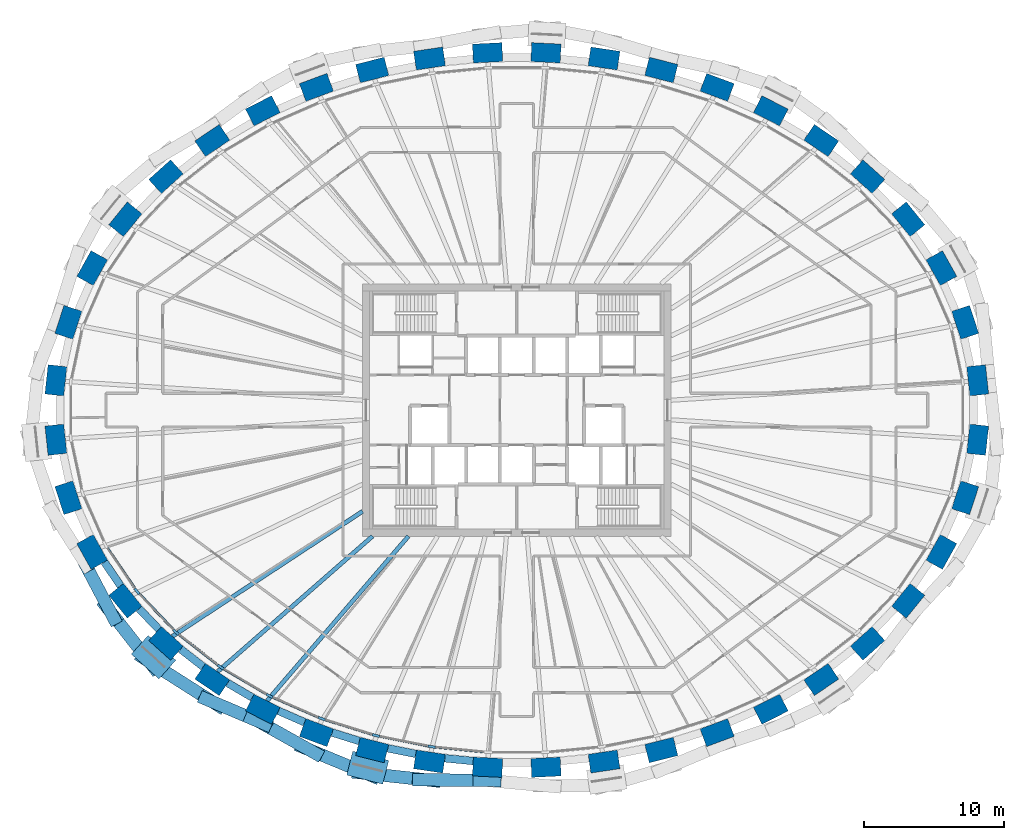
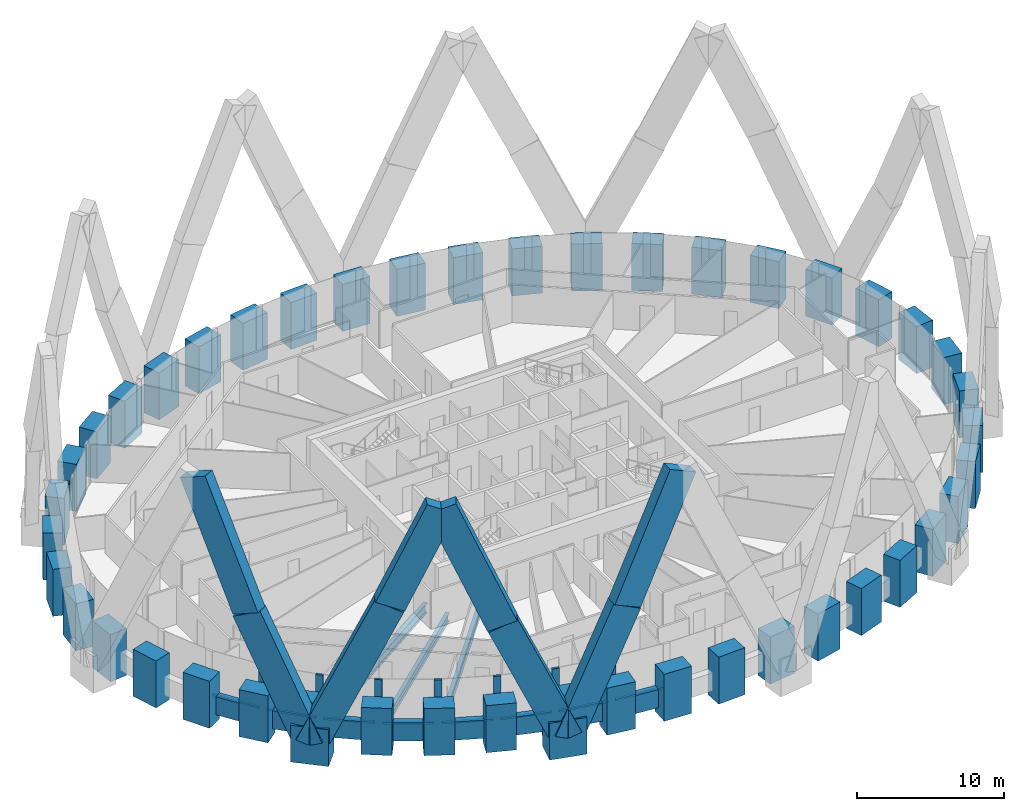
# One storey, part 1 of 14: 44 columns, 25 members, 11 beams, 1 element without a shape of its own.
"""IFC4 building model written with IfcOpenShell, lengths in metres."""

from ifc_helpers import new_model, si_unit, direction, frame, origin, origin_2d, place, context, subcontext, project, spatial, rectangle, i_section, extrude, source, transform, mapped, material, material_profile, profile_set, type_object, element, aggregate, save


model = new_model("IFC4")

# Units and contexts
model_context = context("Model", 3, precision=1e-05, world=origin(), true_north=direction((0.0, 1.0)))
body_context = subcontext(model_context, "Body", "Model", "MODEL_VIEW")
ifc_project = project(units=[si_unit("LENGTHUNIT", "METRE"), si_unit("AREAUNIT", "SQUARE_METRE"), si_unit("VOLUMEUNIT", "CUBIC_METRE"), si_unit("PLANEANGLEUNIT", "RADIAN"), si_unit("MASSUNIT", "GRAM", prefix="KILO")], contexts=[model_context])

# Site, building, storey
site_placement = place(None, origin())
site = spatial("IfcSite", under=ifc_project, at=site_placement, CompositionType="ELEMENT")
building_placement = place(site_placement, origin())
building = spatial("IfcBuilding", under=site, at=building_placement, Name="Embergate Tower", CompositionType="ELEMENT")
storey_placement = place(building_placement, frame((0.0, 0.0, 257.800048828125)))
storey = spatial("IfcBuildingStorey", under=building, at=storey_placement, Name="L59", CompositionType="ELEMENT", Elevation=257.800048828125)

# Columns
ifc_material_1 = material(Name="Concrete C60", Category="concrete")
ifc_material_profile_1 = material_profile(ifc_material_1, rectangle(XDim=1.35009765625, YDim=2.10009765625, at=origin_2d()), Name="RC 1350x2100")
ifc_profile_set_1 = profile_set([ifc_material_profile_1], Name="Concrete C60")
column_type = type_object("IfcColumnType", Name="Ring column RC 1350x2100 C60", PredefinedType="COLUMN", material=ifc_profile_set_1)
shared_shape_1 = source(origin(), body_context, "Body", "SweptSolid", [
    extrude(rectangle(XDim=1.35009765625, YDim=2.10009765625, at=origin_2d()), origin(), (0.0, 0.0, 1.0), 3.900146484375),
])
for number, where, z_axis, x_axis, name in (
    (1, (32.862060546875, 2.116943359375, -1.400146484375), (0.0, 0.0, 1.0), (0.99428589498, 0.106749983816, 0.0), "COL-L59-00"),
    (2, (31.971923828125, 6.2529296875, -1.400146484375), (0.0, 0.0, 1.0), (0.950754033697, 0.309946394413, 0.0), "COL-L59-01"),
    (3, (30.27587890625, 10.118896484375, -1.400146484375), (0.0, 0.0, 1.0), (0.873491969053, 0.486838556403, 0.0), "COL-L59-02"),
    (4, (27.908935546875, 13.60009765625, -1.400146484375), (0.0, 0.0, 1.0), (0.775914301615, 0.630838328377, 0.0), "COL-L59-03"),
    (5, (25.011962890625, 16.637939453125, -1.400146484375), (0.0, 0.0, 1.0), (0.669208424634, 0.74307475021, 0.0), "COL-L59-04"),
    (6, (21.7109375, 19.215087890625, -1.400146484375), (0.0, 0.0, 1.0), (0.560393279442, 0.828226643109, 0.0), "COL-L59-05"),
    (7, (18.10888671875, 21.3330078125, -1.400146484375), (0.0, 0.0, 1.0), (0.452994952881, 0.891513080478, 0.0), "COL-L59-06"),
    (8, (14.285888671875, 23.0048828125, -1.400146484375), (0.0, 0.0, 1.0), (0.348343015724, 0.93736713373, 0.0), "COL-L59-07"),
    (9, (10.306884765625, 24.243896484375, -1.400146484375), (0.0, 0.0, 1.0), (0.246491603437, 0.969144926951, 0.0), "COL-L59-08"),
    (10, (6.222900390625, 25.06298828125, -1.400146484375), (0.0, 0.0, 1.0), (0.146929011949, 0.989147039346, 0.0), "COL-L59-09"),
    (11, (2.0810546875, 25.469970703125, -1.400146484375), (0.0, 0.0, 1.0), (0.048814904854, 0.998807841912, 0.0), "COL-L59-10"),
    (12, (-2.0810546875, 25.469970703125, -1.400146484375), (0.0, 0.0, 1.0), (-0.048814904854, 0.998807841912, 0.0), "COL-L59-11"),
    (13, (-6.222900390625, 25.06298828125, -1.400146484375), (0.0, 0.0, 1.0), (-0.146929011949, 0.989147039346, 0.0), "COL-L59-12"),
    (14, (-10.306884765625, 24.243896484375, -1.400146484375), (0.0, 0.0, 1.0), (-0.246491603437, 0.969144926951, 0.0), "COL-L59-13"),
    (15, (-14.285888671875, 23.0048828125, -1.400146484375), (0.0, 0.0, 1.0), (-0.348343015724, 0.93736713373, 0.0), "COL-L59-14"),
    (16, (-18.10888671875, 21.3330078125, -1.400146484375), (0.0, 0.0, 1.0), (-0.452994952881, 0.891513080478, 0.0), "COL-L59-15"),
    (17, (-21.7109375, 19.215087890625, -1.400146484375), (0.0, 0.0, 1.0), (-0.560393279442, 0.828226643109, 0.0), "COL-L59-16"),
    (18, (-25.011962890625, 16.637939453125, -1.400146484375), (0.0, 0.0, 1.0), (-0.669208424634, 0.74307475021, 0.0), "COL-L59-17"),
    (19, (-27.908935546875, 13.60009765625, -1.400146484375), (0.0, 0.0, 1.0), (-0.775914301615, 0.630838328377, 0.0), "COL-L59-18"),
    (20, (-30.27587890625, 10.118896484375, -1.400146484375), (0.0, 0.0, 1.0), (-0.873491969053, 0.486838556403, 0.0), "COL-L59-19"),
    (21, (-31.971923828125, 6.2529296875, -1.400146484375), (0.0, 0.0, 1.0), (-0.950754033697, 0.309946394413, 0.0), "COL-L59-20"),
    (22, (-32.862060546875, 2.116943359375, -1.400146484375), (0.0, 0.0, 1.0), (-0.99428589498, 0.106749983816, 0.0), "COL-L59-21"),
    (23, (-32.862060546875, -2.116943359375, -1.400146484375), (0.0, 0.0, 1.0), (-0.99428589498, -0.106749983816, 0.0), "COL-L59-22"),
    (24, (-31.971923828125, -6.2529296875, -1.400146484375), (0.0, 0.0, 1.0), (-0.950754033697, -0.309946394413, 0.0), "COL-L59-23"),
    (25, (-30.27587890625, -10.118896484375, -1.400146484375), (0.0, 0.0, 1.0), (-0.873491969053, -0.486838556403, 0.0), "COL-L59-24"),
    (26, (-27.908935546875, -13.60009765625, -1.400146484375), (0.0, 0.0, 1.0), (-0.775914301615, -0.630838328377, 0.0), "COL-L59-25"),
    (27, (-25.011962890625, -16.637939453125, -1.400146484375), (0.0, 0.0, 1.0), (-0.669208424634, -0.74307475021, 0.0), "COL-L59-26"),
    (28, (-21.7109375, -19.215087890625, -1.400146484375), (0.0, 0.0, 1.0), (-0.560393279442, -0.828226643109, 0.0), "COL-L59-27"),
    (29, (-18.10888671875, -21.3330078125, -1.400146484375), (0.0, 0.0, 1.0), (-0.452994952881, -0.891513080478, 0.0), "COL-L59-28"),
    (30, (-14.285888671875, -23.0048828125, -1.400146484375), (0.0, 0.0, 1.0), (-0.348343015724, -0.93736713373, 0.0), "COL-L59-29"),
    (31, (-10.306884765625, -24.243896484375, -1.400146484375), (0.0, 0.0, 1.0), (-0.246491603437, -0.969144926951, 0.0), "COL-L59-30"),
    (32, (-6.222900390625, -25.06298828125, -1.400146484375), (0.0, 0.0, 1.0), (-0.146929011949, -0.989147039346, 0.0), "COL-L59-31"),
    (33, (-2.0810546875, -25.469970703125, -1.400146484375), (0.0, 0.0, 1.0), (-0.048814904854, -0.998807841912, 0.0), "COL-L59-32"),
    (34, (2.0810546875, -25.469970703125, -1.400146484375), (0.0, 0.0, 1.0), (0.048814904854, -0.998807841912, 0.0), "COL-L59-33"),
    (35, (6.222900390625, -25.06298828125, -1.400146484375), (0.0, 0.0, 1.0), (0.146929011949, -0.989147039346, 0.0), "COL-L59-34"),
    (36, (10.306884765625, -24.243896484375, -1.400146484375), (0.0, 0.0, 1.0), (0.246491603437, -0.969144926951, 0.0), "COL-L59-35"),
    (37, (14.285888671875, -23.0048828125, -1.400146484375), (0.0, 0.0, 1.0), (0.348343015724, -0.93736713373, 0.0), "COL-L59-36"),
    (38, (18.10888671875, -21.3330078125, -1.400146484375), (0.0, 0.0, 1.0), (0.452994952881, -0.891513080478, 0.0), "COL-L59-37"),
    (39, (21.7109375, -19.215087890625, -1.400146484375), (0.0, 0.0, 1.0), (0.560393279442, -0.828226643109, 0.0), "COL-L59-38"),
    (40, (25.011962890625, -16.637939453125, -1.400146484375), (0.0, 0.0, 1.0), (0.669208424634, -0.74307475021, 0.0), "COL-L59-39"),
    (41, (27.908935546875, -13.60009765625, -1.400146484375), (0.0, 0.0, 1.0), (0.775914301615, -0.630838328377, 0.0), "COL-L59-40"),
    (42, (30.27587890625, -10.118896484375, -1.400146484375), (0.0, 0.0, 1.0), (0.873491969053, -0.486838556403, 0.0), "COL-L59-41"),
    (43, (31.971923828125, -6.2529296875, -1.400146484375), (0.0, 0.0, 1.0), (0.950754033697, -0.309946394413, 0.0), "COL-L59-42"),
    (44, (32.862060546875, -2.116943359375, -1.400146484375), (0.0, 0.0, 1.0), (0.99428589498, -0.106749983816, 0.0), "COL-L59-43"),
):
    element("IfcColumn", number, at=place(storey_placement, frame(where, z_axis=z_axis, x_axis=x_axis)), inside=storey, type_object=column_type, Name=name, PredefinedType="COLUMN", context=body_context, shape_type="MappedRepresentation", body=[
        mapped(shared_shape_1, transform((0.0, 0.0, 0.0))),
    ])

# Beams
ifc_material_profile_2 = material_profile(ifc_material_1, rectangle(XDim=0.550048828125, YDim=1.5, at=origin_2d()), Name="RC 550x1500")
ifc_profile_set_2 = profile_set([ifc_material_profile_2], Name="Concrete C60")
beam_type_1 = type_object("IfcBeamType", Name="Spandrel beam RC 550x1500 C60", PredefinedType="BEAM", material=ifc_profile_set_2)
shared_shape_2 = source(origin(), body_context, "Body", "SweptSolid", [
    extrude(rectangle(XDim=0.550048828125, YDim=1.5, at=origin_2d()), origin(), (0.0, 0.0, 1.0), 2.046630859375),
])
beam_1_placement = place(storey_placement, frame((-29.405029296875, -10.8359375, 0.0), z_axis=(0.562466632366, -0.826819984927, 0.0), x_axis=(0.826819984927, 0.562466632366, 0.0)))
element("IfcBeam", 45, at=beam_1_placement, inside=storey, type_object=beam_type_1, Name="SPN-L59-24", PredefinedType="BEAM", context=body_context, shape_type="MappedRepresentation", body=[
    mapped(shared_shape_2, transform((0.0, 0.0, 0.0))),
])
shared_shape_3 = source(origin(), body_context, "Body", "SweptSolid", [
    extrude(rectangle(XDim=0.550048828125, YDim=1.5, at=origin_2d()), origin(), (0.0, 0.0, 1.0), 2.042724609375),
])
beam_2_placement = place(storey_placement, frame((-26.93505859375, -14.160888671875, 0.0), z_axis=(0.690299494905, -0.723523743448, 0.0), x_axis=(0.723523743448, 0.690299494905, 0.0)))
element("IfcBeam", 46, at=beam_2_placement, inside=storey, type_object=beam_type_1, Name="SPN-L59-25", PredefinedType="BEAM", context=body_context, shape_type="MappedRepresentation", body=[
    mapped(shared_shape_3, transform((0.0, 0.0, 0.0))),
])
shared_shape_4 = source(origin(), body_context, "Body", "SweptSolid", [
    extrude(rectangle(XDim=0.550048828125, YDim=1.5, at=origin_2d()), origin(), (0.0, 0.0, 1.0), 2.038330078125),
])
beam_3_placement = place(storey_placement, frame((-23.968994140625, -17.049072265625, 0.0), z_axis=(0.78838379352, -0.615183707615, 0.0), x_axis=(0.615183707615, 0.78838379352, 0.0)))
element("IfcBeam", 47, at=beam_3_placement, inside=storey, type_object=beam_type_1, Name="SPN-L59-26", PredefinedType="BEAM", context=body_context, shape_type="MappedRepresentation", body=[
    mapped(shared_shape_4, transform((0.0, 0.0, 0.0))),
])
shared_shape_5 = source(origin(), body_context, "Body", "SweptSolid", [
    extrude(rectangle(XDim=0.550048828125, YDim=1.5, at=origin_2d()), origin(), (0.0, 0.0, 1.0), 2.0322265625),
])
beam_4_placement = place(storey_placement, frame((-20.614013671875, -19.467041015625, 0.0), z_axis=(0.862048455152, -0.50682586849, 0.0), x_axis=(0.50682586849, 0.862048455152, 0.0)))
element("IfcBeam", 48, at=beam_4_placement, inside=storey, type_object=beam_type_1, Name="SPN-L59-27", PredefinedType="BEAM", context=body_context, shape_type="MappedRepresentation", body=[
    mapped(shared_shape_5, transform((0.0, 0.0, 0.0))),
])
shared_shape_6 = source(origin(), body_context, "Body", "SweptSolid", [
    extrude(rectangle(XDim=0.550048828125, YDim=1.5, at=origin_2d()), origin(), (0.0, 0.0, 1.0), 2.03076171875),
])
beam_5_placement = place(storey_placement, frame((-16.991943359375, -21.451904296875, 0.0), z_axis=(0.916361402872, -0.400352069216, 0.0), x_axis=(0.400352069216, 0.916361402872, 0.0)))
element("IfcBeam", 49, at=beam_5_placement, inside=storey, type_object=beam_type_1, Name="SPN-L59-28", PredefinedType="BEAM", context=body_context, shape_type="MappedRepresentation", body=[
    mapped(shared_shape_6, transform((0.0, 0.0, 0.0))),
])
shared_shape_7 = source(origin(), body_context, "Body", "SweptSolid", [
    extrude(rectangle(XDim=0.550048828125, YDim=1.5, at=origin_2d()), origin(), (0.0, 0.0, 1.0), 2.02880859375),
])
beam_6_placement = place(storey_placement, frame((-13.1640625, -22.9990234375, 0.0), z_axis=(0.954800624546, -0.297246980417, 0.0), x_axis=(0.297246980417, 0.954800624546, 0.0)))
element("IfcBeam", 50, at=beam_6_placement, inside=storey, type_object=beam_type_1, Name="SPN-L59-29", PredefinedType="BEAM", context=body_context, shape_type="MappedRepresentation", body=[
    mapped(shared_shape_7, transform((0.0, 0.0, 0.0))),
])
shared_shape_8 = source(origin(), body_context, "Body", "SweptSolid", [
    extrude(rectangle(XDim=0.550048828125, YDim=1.5, at=origin_2d()), origin(), (0.0, 0.0, 1.0), 2.02734375),
])
beam_7_placement = place(storey_placement, frame((-9.19189453125, -24.1220703125, 0.0), z_axis=(0.980543602706, -0.196301409041, 0.0), x_axis=(0.196301409041, 0.980543602706, 0.0)))
element("IfcBeam", 51, at=beam_7_placement, inside=storey, type_object=beam_type_1, Name="SPN-L59-30", PredefinedType="BEAM", context=body_context, shape_type="MappedRepresentation", body=[
    mapped(shared_shape_8, transform((0.0, 0.0, 0.0))),
])
shared_shape_9 = source(origin(), body_context, "Body", "SweptSolid", [
    extrude(rectangle(XDim=0.550048828125, YDim=1.5, at=origin_2d()), origin(), (0.0, 0.0, 1.0), 2.025634765625),
])
beam_8_placement = place(storey_placement, frame((-5.126953125, -24.830078125, 0.0), z_axis=(0.995211067802, -0.097749324935, 0.0), x_axis=(0.097749324935, 0.995211067802, 0.0)))
element("IfcBeam", 52, at=beam_8_placement, inside=storey, type_object=beam_type_1, Name="SPN-L59-31", PredefinedType="BEAM", context=body_context, shape_type="MappedRepresentation", body=[
    mapped(shared_shape_9, transform((0.0, 0.0, 0.0))),
])
ifc_material_2 = material(Name="Steel Q355B", Category="steel")
ifc_material_profile_3 = material_profile(ifc_material_2, i_section(OverallWidth=0.300048828125, OverallDepth=0.800048828125, WebThickness=0.013916015625, FlangeThickness=0.02587890625, FilletRadius=0.028076171875, at=origin_2d()), Name="HN 800x300x14x26")
ifc_profile_set_3 = profile_set([ifc_material_profile_3], Name="Steel Q355 grade B")
beam_type_2 = type_object("IfcBeamType", Name="Radial girder HN 800x300x14x26", PredefinedType="BEAM", material=ifc_profile_set_3)
shared_shape_10 = source(origin(), body_context, "Body", "SweptSolid", [
    extrude(i_section(OverallWidth=0.300048828125, OverallDepth=0.800048828125, WebThickness=0.013916015625, FlangeThickness=0.02587890625, FilletRadius=0.028076171875, at=origin_2d()), origin(), (0.0, 0.0, 1.0), 16.224853515625),
])
beam_9_placement = place(storey_placement, frame((-24.56005859375, -16.135986328125, -0.60009765625), z_axis=(0.83576092079, 0.549093510506, 0.0), x_axis=(-0.549093510506, 0.83576092079, 0.0)))
element("IfcBeam", 53, at=beam_9_placement, inside=storey, type_object=beam_type_2, Name="GIR-L59-26", PredefinedType="BEAM", context=body_context, shape_type="MappedRepresentation", body=[
    mapped(shared_shape_10, transform((0.0, 0.0, 0.0))),
])
ifc_material_profile_4 = material_profile(ifc_material_2, i_section(OverallWidth=0.300048828125, OverallDepth=0.699951171875, WebThickness=0.012939453125, FlangeThickness=0.02392578125, FilletRadius=0.01806640625, at=origin_2d()), Name="HN 700x300x13x24")
ifc_profile_set_4 = profile_set([ifc_material_profile_4], Name="Steel Q355 grade B")
beam_type_3 = type_object("IfcBeamType", Name="Radial girder HN 700x300x13x24", PredefinedType="BEAM", material=ifc_profile_set_4)
shared_shape_11 = source(origin(), body_context, "Body", "SweptSolid", [
    extrude(i_section(OverallWidth=0.300048828125, OverallDepth=0.699951171875, WebThickness=0.012939453125, FlangeThickness=0.02392578125, FilletRadius=0.01806640625, at=origin_2d()), origin(), (0.0, 0.0, 1.0), 14.66845703125),
])
beam_10_placement = place(storey_placement, frame((-21.3330078125, -18.656005859375, -0.550048828125), z_axis=(0.752770497305, 0.658283053395, 0.0), x_axis=(-0.658283053395, 0.752770497305, 0.0)))
element("IfcBeam", 54, at=beam_10_placement, inside=storey, type_object=beam_type_3, Name="GIR-L59-27", PredefinedType="BEAM", context=body_context, shape_type="MappedRepresentation", body=[
    mapped(shared_shape_11, transform((0.0, 0.0, 0.0))),
])
shared_shape_12 = source(origin(), body_context, "Body", "SweptSolid", [
    extrude(i_section(OverallWidth=0.300048828125, OverallDepth=0.800048828125, WebThickness=0.013916015625, FlangeThickness=0.02587890625, FilletRadius=0.028076171875, at=origin_2d()), origin(), (0.0, 0.0, 1.0), 15.462890625),
])
beam_11_placement = place(storey_placement, frame((-17.802978515625, -20.73095703125, -0.60009765625), z_axis=(0.651494533004, 0.75865332891, 0.0), x_axis=(-0.75865332891, 0.651494533004, 0.0)))
element("IfcBeam", 55, at=beam_11_placement, inside=storey, type_object=beam_type_2, Name="GIR-L59-28", PredefinedType="BEAM", context=body_context, shape_type="MappedRepresentation", body=[
    mapped(shared_shape_12, transform((0.0, 0.0, 0.0))),
])

# Members
ifc_material_3 = material(Name="Concrete C70", Category="concrete")
ifc_material_profile_5 = material_profile(ifc_material_3, rectangle(XDim=1.800048828125, YDim=2.64990234375, at=origin_2d()), Name="RC 1800x2650")
ifc_profile_set_5 = profile_set([ifc_material_profile_5], Name="Concrete C70")
member_type_1 = type_object("IfcMemberType", Name="Lattice node block RC 1800x2650", PredefinedType="POST", material=ifc_profile_set_5)
shared_shape_13 = source(origin(), body_context, "Body", "SweptSolid", [
    extrude(rectangle(XDim=1.800048828125, YDim=2.64990234375, at=origin_2d()), origin(), (0.0, 0.0, 1.0), 3.050048828125),
])
member_1_placement = place(storey_placement, frame((-25.89892578125, -17.623046875, -1.525146484375), z_axis=(0.0, 0.0, 1.0), x_axis=(-0.669208424634, -0.74307475021, 0.0)))
element("IfcMember", 56, at=member_1_placement, inside=storey, type_object=member_type_1, Name="NOD-L59-26", PredefinedType="POST", context=body_context, shape_type="MappedRepresentation", body=[
    mapped(shared_shape_13, transform((0.0, 0.0, 0.0))),
])
ifc_material_profile_6 = material_profile(ifc_material_3, rectangle(XDim=1.75, YDim=2.64990234375, at=origin_2d()), Name="RC 1750x2650")
ifc_profile_set_6 = profile_set([ifc_material_profile_6], Name="Concrete C70")
member_type_2 = type_object("IfcMemberType", Name="Lattice node block RC 1750x2650", PredefinedType="POST", material=ifc_profile_set_6)
shared_shape_14 = source(origin(), body_context, "Body", "SweptSolid", [
    extrude(rectangle(XDim=1.75, YDim=2.64990234375, at=origin_2d()), origin(), (0.0, 0.0, 1.0), 3.050048828125),
])
member_2_placement = place(storey_placement, frame((-10.626953125, -25.50390625, -1.525146484375), z_axis=(0.0, 0.0, 1.0), x_axis=(-0.246491603437, -0.969144926951, 0.0)))
element("IfcMember", 57, at=member_2_placement, inside=storey, type_object=member_type_2, Name="NOD-L59-30", PredefinedType="POST", context=body_context, shape_type="MappedRepresentation", body=[
    mapped(shared_shape_14, transform((0.0, 0.0, 0.0))),
])
ifc_material_profile_7 = material_profile(ifc_material_3, rectangle(XDim=0.89990234375, YDim=2.199951171875, at=origin_2d()), Name="RC 900x2200")
ifc_profile_set_7 = profile_set([ifc_material_profile_7], Name="Concrete C70")
member_type_3 = type_object("IfcMemberType", Name="Lattice diagonal terracotta-faced RC 900x2200", PredefinedType="BRACE", material=ifc_profile_set_7)
shared_shape_15 = source(origin(), body_context, "Body", "SweptSolid", [
    extrude(rectangle(XDim=0.89990234375, YDim=2.199951171875, at=origin_2d()), origin(), (0.0, 0.0, 1.0), 10.757080078125),
])
member_3_placement = place(storey_placement, frame((-26.193115234375, -17.949951171875, 0.0), z_axis=(-0.260094349239, 0.332902610352, 0.906381145829), x_axis=(-0.788008083897, -0.615664892382, 0.0)))
element("IfcMember", 58, at=member_3_placement, inside=storey, type_object=member_type_3, Name="BRC-L59-26-24-S00", PredefinedType="BRACE", context=body_context, shape_type="MappedRepresentation", body=[
    mapped(shared_shape_15, transform((0.0, 0.0, 0.0))),
])
shared_shape_16 = source(origin(), body_context, "Body", "SweptSolid", [
    extrude(rectangle(XDim=0.89990234375, YDim=2.199951171875, at=origin_2d()), origin(), (0.0, 0.0, 1.0), 10.635009765625),
])
member_4_placement = place(storey_placement, frame((-28.990966796875, -14.368896484375, 9.75), z_axis=(-0.186175259302, 0.353342736273, 0.916781153573), x_axis=(-0.884706171677, -0.466149106828, 0.0)))
element("IfcMember", 59, at=member_4_placement, inside=storey, type_object=member_type_3, Name="BRC-L59-26-24-S01", PredefinedType="BRACE", context=body_context, shape_type="MappedRepresentation", body=[
    mapped(shared_shape_16, transform((0.0, 0.0, 0.0))),
])
shared_shape_17 = source(origin(), body_context, "Body", "SweptSolid", [
    extrude(rectangle(XDim=0.89990234375, YDim=2.199951171875, at=origin_2d()), origin(), (0.0, 0.0, 1.0), 12.8583984375),
])
member_5_placement = place(storey_placement, frame((-26.193115234375, -17.949951171875, 0.0), z_axis=(0.350136237676, -0.222430780563, 0.909906128633), x_axis=(0.536217829245, 0.844079640555, 0.0)))
element("IfcMember", 60, at=member_5_placement, inside=storey, type_object=member_type_3, Name="BRC-L59-26-28-S00", PredefinedType="BRACE", context=body_context, shape_type="MappedRepresentation", body=[
    mapped(shared_shape_17, transform((0.0, 0.0, 0.0))),
])
shared_shape_18 = source(origin(), body_context, "Body", "SweptSolid", [
    extrude(rectangle(XDim=0.89990234375, YDim=2.199951171875, at=origin_2d()), origin(), (0.0, 0.0, 1.0), 8.565673828125),
])
member_6_placement = place(storey_placement, frame((-21.69091796875, -20.81005859375, 11.699951171875), z_axis=(0.380481007684, -0.16121062098, 0.910629089407), x_axis=(0.390128220335, 0.920760539825, 0.0)))
element("IfcMember", 61, at=member_6_placement, inside=storey, type_object=member_type_3, Name="BRC-L59-26-28-S01", PredefinedType="BRACE", context=body_context, shape_type="MappedRepresentation", body=[
    mapped(shared_shape_18, transform((0.0, 0.0, 0.0))),
])
shared_shape_19 = source(origin(), body_context, "Body", "SweptSolid", [
    extrude(rectangle(XDim=0.89990234375, YDim=2.199951171875, at=origin_2d()), origin(), (0.0, 0.0, 1.0), 10.695556640625),
])
member_7_placement = place(storey_placement, frame((-10.73095703125, -25.910888671875, 0.0), z_axis=(-0.379874796254, 0.157158873465, 0.911589944911), x_axis=(-0.382288036979, -0.924043211534, 0.0)))
element("IfcMember", 62, at=member_7_placement, inside=storey, type_object=member_type_3, Name="BRC-L59-30-28-S00", PredefinedType="BRACE", context=body_context, shape_type="MappedRepresentation", body=[
    mapped(shared_shape_19, transform((0.0, 0.0, 0.0))),
])
shared_shape_20 = source(origin(), body_context, "Body", "SweptSolid", [
    extrude(rectangle(XDim=0.89990234375, YDim=2.199951171875, at=origin_2d()), origin(), (0.0, 0.0, 1.0), 10.6044921875),
])
member_8_placement = place(storey_placement, frame((-14.7939453125, -24.22998046875, 9.75), z_axis=(-0.343057023182, 0.192283219758, 0.919423211717), x_axis=(-0.488934899925, -0.872320275836, 0.0)))
element("IfcMember", 63, at=member_8_placement, inside=storey, type_object=member_type_3, Name="BRC-L59-30-28-S01", PredefinedType="BRACE", context=body_context, shape_type="MappedRepresentation", body=[
    mapped(shared_shape_20, transform((0.0, 0.0, 0.0))),
])
shared_shape_21 = source(origin(), body_context, "Body", "SweptSolid", [
    extrude(rectangle(XDim=0.89990234375, YDim=2.199951171875, at=origin_2d()), origin(), (0.0, 0.0, 1.0), 10.662841796875),
])
member_9_placement = place(storey_placement, frame((-10.73095703125, -25.910888671875, 0.0), z_axis=(0.402521448721, -0.04306842122, 0.914396847333), x_axis=(0.1063893332, 0.994324549522, 0.0)))
element("IfcMember", 64, at=member_9_placement, inside=storey, type_object=member_type_3, Name="BRC-L59-30-32-S00", PredefinedType="BRACE", context=body_context, shape_type="MappedRepresentation", body=[
    mapped(shared_shape_21, transform((0.0, 0.0, 0.0))),
])
shared_shape_22 = source(origin(), body_context, "Body", "SweptSolid", [
    extrude(rectangle(XDim=0.89990234375, YDim=2.199951171875, at=origin_2d()), origin(), (0.0, 0.0, 1.0), 10.666259765625),
])
member_10_placement = place(storey_placement, frame((-6.43896484375, -26.3701171875, 9.75), z_axis=(0.405479703808, -0.00345624811, 0.914097513479), x_axis=(0.008523540207, 0.999963673971, 0.0)))
element("IfcMember", 65, at=member_10_placement, inside=storey, type_object=member_type_3, Name="BRC-L59-30-32-S01", PredefinedType="BRACE", context=body_context, shape_type="MappedRepresentation", body=[
    mapped(shared_shape_22, transform((0.0, 0.0, 0.0))),
])

# Curtain wall, members
ifc_material_4 = material(Name="Aluminium and glass", Category="aluminium")
curtain_wall_type = type_object("IfcCurtainWallType", Name="Recessed office glazing", PredefinedType="NOTDEFINED", material=ifc_material_4)
curtain_wall_placement = place(storey_placement, origin())
curtain_wall = element("IfcCurtainWall", 66, at=curtain_wall_placement, inside=storey, type_object=curtain_wall_type, Name="Recessed office glazing ring", ObjectType="RECESSED OFFICE GLAZING", PredefinedType="USERDEFINED")
ifc_material_5 = material(Name="Aluminium, thermally broken", Category="aluminium")
ifc_material_profile_8 = material_profile(ifc_material_5, rectangle(XDim=0.179931640625, YDim=0.52001953125, at=origin_2d()), Name="AL 520x180")
ifc_profile_set_8 = profile_set([ifc_material_profile_8], Name="Aluminium, thermally broken")
member_type_4 = type_object("IfcMemberType", Name="Office mullion", PredefinedType="MULLION", material=ifc_profile_set_8)
shared_shape_23 = source(origin(), body_context, "Body", "SweptSolid", [
    extrude(rectangle(XDim=0.179931640625, YDim=0.52001953125, at=origin_2d()), origin(), (0.0, 0.0, 1.0), 3.699951171875),
])
member_11_placement = place(storey_placement, frame((-27.0830078125, -12.92822265625, 0.0), z_axis=(0.0, 0.0, 1.0), x_axis=(0.777863789852, 0.628432911643, 0.0)))
member_11 = element("IfcMember", 67, at=member_11_placement, type_object=member_type_4, Name="CW mullion 26", PredefinedType="MULLION", context=body_context, shape_type="MappedRepresentation", body=[
    mapped(shared_shape_23, transform((0.0, 0.0, 0.0))),
])
member_12_placement = place(storey_placement, frame((-24.299560546875, -15.846923828125, 0.0), z_axis=(0.0, 0.0, 1.0), x_axis=(0.671217477801, 0.741260478843, 0.0)))
member_12 = element("IfcMember", 68, at=member_12_placement, type_object=member_type_4, Name="CW mullion 27", PredefinedType="MULLION", context=body_context, shape_type="MappedRepresentation", body=[
    mapped(shared_shape_23, transform((0.0, 0.0, 0.0))),
])
member_13_placement = place(storey_placement, frame((-21.1142578125, -18.3330078125, 0.0), z_axis=(0.0, 0.0, 1.0), x_axis=(0.562208958301, 0.826995215951, 0.0)))
member_13 = element("IfcMember", 69, at=member_13_placement, type_object=member_type_4, Name="CW mullion 28", PredefinedType="MULLION", context=body_context, shape_type="MappedRepresentation", body=[
    mapped(shared_shape_23, transform((0.0, 0.0, 0.0))),
])
member_14_placement = place(storey_placement, frame((-17.626220703125, -20.383544921875, 0.0), z_axis=(0.0, 0.0, 1.0), x_axis=(0.45450516197, 0.8907441034, 0.0)))
member_14 = element("IfcMember", 70, at=member_14_placement, type_object=member_type_4, Name="CW mullion 29", PredefinedType="MULLION", context=body_context, shape_type="MappedRepresentation", body=[
    mapped(shared_shape_23, transform((0.0, 0.0, 0.0))),
])
member_15_placement = place(storey_placement, frame((-13.914794921875, -22.006591796875, 0.0), z_axis=(0.0, 0.0, 1.0), x_axis=(0.349497777064, 0.936937193107, 0.0)))
member_15 = element("IfcMember", 71, at=member_15_placement, type_object=member_type_4, Name="CW mullion 30", PredefinedType="MULLION", context=body_context, shape_type="MappedRepresentation", body=[
    mapped(shared_shape_23, transform((0.0, 0.0, 0.0))),
])
member_16_placement = place(storey_placement, frame((-10.0439453125, -23.2119140625, 0.0), z_axis=(0.0, 0.0, 1.0), x_axis=(0.247308499144, 0.96893679167, 0.0)))
member_16 = element("IfcMember", 72, at=member_16_placement, type_object=member_type_4, Name="CW mullion 31", PredefinedType="MULLION", context=body_context, shape_type="MappedRepresentation", body=[
    mapped(shared_shape_23, transform((0.0, 0.0, 0.0))),
])
member_17_placement = place(storey_placement, frame((-6.06689453125, -24.009521484375, 0.0), z_axis=(0.0, 0.0, 1.0), x_axis=(0.147410656556, 0.989075375456, 0.0)))
member_17 = element("IfcMember", 73, at=member_17_placement, type_object=member_type_4, Name="CW mullion 32", PredefinedType="MULLION", context=body_context, shape_type="MappedRepresentation", body=[
    mapped(shared_shape_23, transform((0.0, 0.0, 0.0))),
])
ifc_material_profile_9 = material_profile(ifc_material_5, rectangle(XDim=0.179931640625, YDim=0.14990234375, at=origin_2d()), Name="AL 150x180")
ifc_profile_set_9 = profile_set([ifc_material_profile_9], Name="Aluminium, thermally broken")
member_type_5 = type_object("IfcMemberType", Name="Office sill transom", PredefinedType="USERDEFINED", material=ifc_profile_set_9)
shared_shape_24 = source(origin(), body_context, "Body", "SweptSolid", [
    extrude(rectangle(XDim=0.179931640625, YDim=0.14990234375, at=origin_2d()), origin(), (0.0, 0.0, 1.0), 3.504638671875),
])
member_18_placement = place(storey_placement, frame((-29.199951171875, -9.8154296875, 0.074951171875), z_axis=(0.562376708583, -0.826881150858, 0.0), x_axis=(0.826881150858, 0.562376708583, 0.0)))
member_18 = element("IfcMember", 74, at=member_18_placement, type_object=member_type_5, Name="CW transom 25.1", ObjectType="TRANSOM", PredefinedType="USERDEFINED", context=body_context, shape_type="MappedRepresentation", body=[
    mapped(shared_shape_24, transform((0.0, 0.0, 0.0))),
])
shared_shape_25 = source(origin(), body_context, "Body", "SweptSolid", [
    extrude(rectangle(XDim=0.179931640625, YDim=0.14990234375, at=origin_2d()), origin(), (0.0, 0.0, 1.0), 3.512939453125),
])
member_19_placement = place(storey_placement, frame((-26.903564453125, -13.116455078125, 0.074951171875), z_axis=(0.690159983448, -0.723656822842, 0.0), x_axis=(0.723656822842, 0.690159983448, 0.0)))
member_19 = element("IfcMember", 75, at=member_19_placement, type_object=member_type_5, Name="CW transom 26.1", ObjectType="TRANSOM", PredefinedType="USERDEFINED", context=body_context, shape_type="MappedRepresentation", body=[
    mapped(shared_shape_25, transform((0.0, 0.0, 0.0))),
])
shared_shape_26 = source(origin(), body_context, "Body", "SweptSolid", [
    extrude(rectangle(XDim=0.179931640625, YDim=0.14990234375, at=origin_2d()), origin(), (0.0, 0.0, 1.0), 3.520263671875),
])
member_20_placement = place(storey_placement, frame((-24.094482421875, -16.0068359375, 0.074951171875), z_axis=(0.788309220122, -0.615279264619, 0.0), x_axis=(0.615279264619, 0.788309220122, 0.0)))
member_20 = element("IfcMember", 76, at=member_20_placement, type_object=member_type_5, Name="CW transom 27.1", ObjectType="TRANSOM", PredefinedType="USERDEFINED", context=body_context, shape_type="MappedRepresentation", body=[
    mapped(shared_shape_26, transform((0.0, 0.0, 0.0))),
])
shared_shape_27 = source(origin(), body_context, "Body", "SweptSolid", [
    extrude(rectangle(XDim=0.179931640625, YDim=0.14990234375, at=origin_2d()), origin(), (0.0, 0.0, 1.0), 3.526123046875),
])
member_21_placement = place(storey_placement, frame((-20.89013671875, -18.464599609375, 0.074951171875), z_axis=(0.862058778532, -0.506808309281, 0.0), x_axis=(0.506808309281, 0.862058778532, 0.0)))
member_21 = element("IfcMember", 77, at=member_21_placement, type_object=member_type_5, Name="CW transom 28.1", ObjectType="TRANSOM", PredefinedType="USERDEFINED", context=body_context, shape_type="MappedRepresentation", body=[
    mapped(shared_shape_27, transform((0.0, 0.0, 0.0))),
])
shared_shape_28 = source(origin(), body_context, "Body", "SweptSolid", [
    extrude(rectangle(XDim=0.179931640625, YDim=0.14990234375, at=origin_2d()), origin(), (0.0, 0.0, 1.0), 3.53076171875),
])
member_22_placement = place(storey_placement, frame((-17.387939453125, -20.48779296875, 0.074951171875), z_axis=(0.916241422351, -0.400626579209, 0.0), x_axis=(0.400626579209, 0.916241422351, 0.0)))
member_22 = element("IfcMember", 78, at=member_22_placement, type_object=member_type_5, Name="CW transom 29.1", ObjectType="TRANSOM", PredefinedType="USERDEFINED", context=body_context, shape_type="MappedRepresentation", body=[
    mapped(shared_shape_28, transform((0.0, 0.0, 0.0))),
])
shared_shape_29 = source(origin(), body_context, "Body", "SweptSolid", [
    extrude(rectangle(XDim=0.179931640625, YDim=0.14990234375, at=origin_2d()), origin(), (0.0, 0.0, 1.0), 3.5341796875),
])
member_23_placement = place(storey_placement, frame((-13.66650390625, -22.083740234375, 0.074951171875), z_axis=(0.954775746564, -0.297326880342, 0.0), x_axis=(0.297326880342, 0.954775746564, 0.0)))
member_23 = element("IfcMember", 79, at=member_23_placement, type_object=member_type_5, Name="CW transom 30.1", ObjectType="TRANSOM", PredefinedType="USERDEFINED", context=body_context, shape_type="MappedRepresentation", body=[
    mapped(shared_shape_29, transform((0.0, 0.0, 0.0))),
])
shared_shape_30 = source(origin(), body_context, "Body", "SweptSolid", [
    extrude(rectangle(XDim=0.179931640625, YDim=0.14990234375, at=origin_2d()), origin(), (0.0, 0.0, 1.0), 3.5361328125),
])
member_24_placement = place(storey_placement, frame((-9.7890625, -23.262939453125, 0.074951171875), z_axis=(0.980463661571, -0.196700300811, 0.0), x_axis=(0.196700300811, 0.980463661571, 0.0)))
member_24 = element("IfcMember", 80, at=member_24_placement, type_object=member_type_5, Name="CW transom 31.1", ObjectType="TRANSOM", PredefinedType="USERDEFINED", context=body_context, shape_type="MappedRepresentation", body=[
    mapped(shared_shape_30, transform((0.0, 0.0, 0.0))),
])
shared_shape_31 = source(origin(), body_context, "Body", "SweptSolid", [
    extrude(rectangle(XDim=0.179931640625, YDim=0.14990234375, at=origin_2d()), origin(), (0.0, 0.0, 1.0), 3.53759765625),
])
member_25_placement = place(storey_placement, frame((-5.80810546875, -24.034912109375, 0.074951171875), z_axis=(0.99519983538, -0.097863617654, 0.0), x_axis=(0.097863617654, 0.99519983538, 0.0)))
member_25 = element("IfcMember", 81, at=member_25_placement, type_object=member_type_5, Name="CW transom 32.1", ObjectType="TRANSOM", PredefinedType="USERDEFINED", context=body_context, shape_type="MappedRepresentation", body=[
    mapped(shared_shape_31, transform((0.0, 0.0, 0.0))),
])
aggregate(curtain_wall, [member_11, member_12, member_13, member_14, member_15, member_16, member_17, member_18, member_19, member_20, member_21, member_22, member_23, member_24, member_25])

save(model, "model.ifc")
